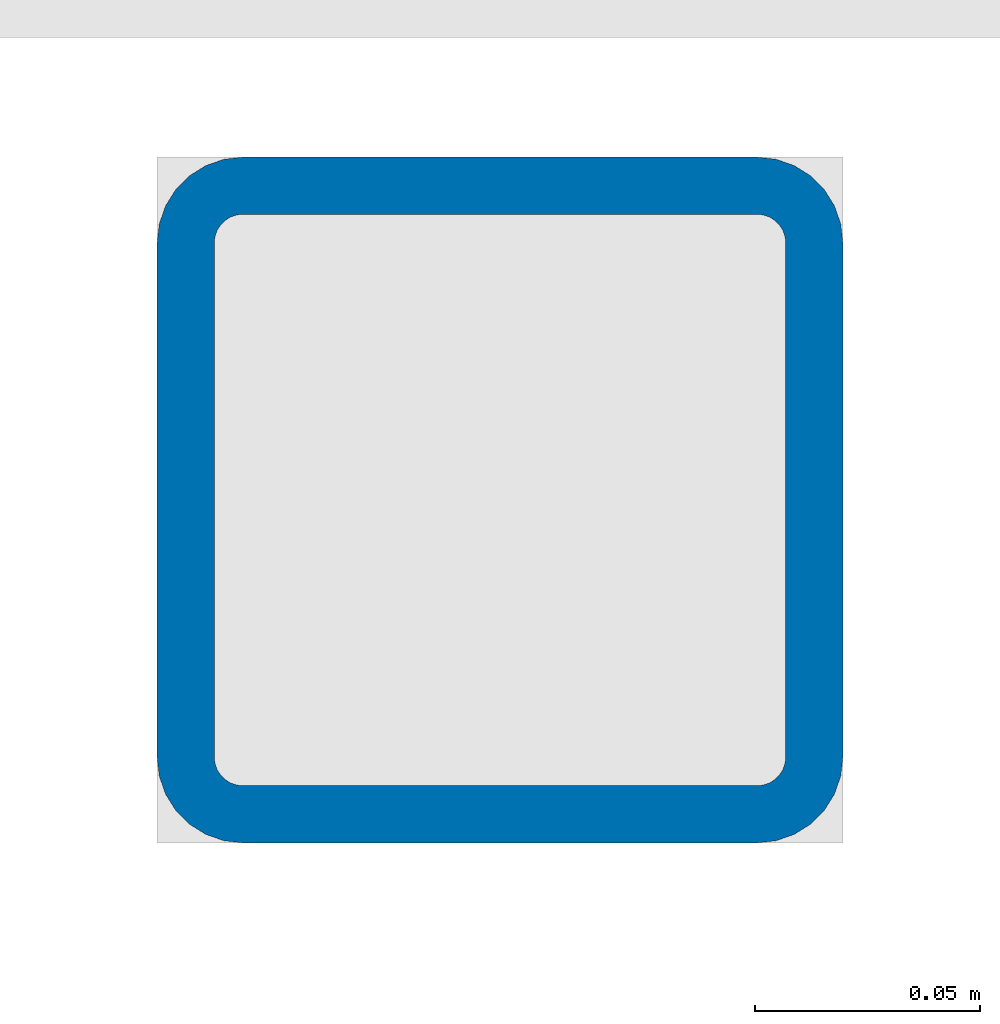
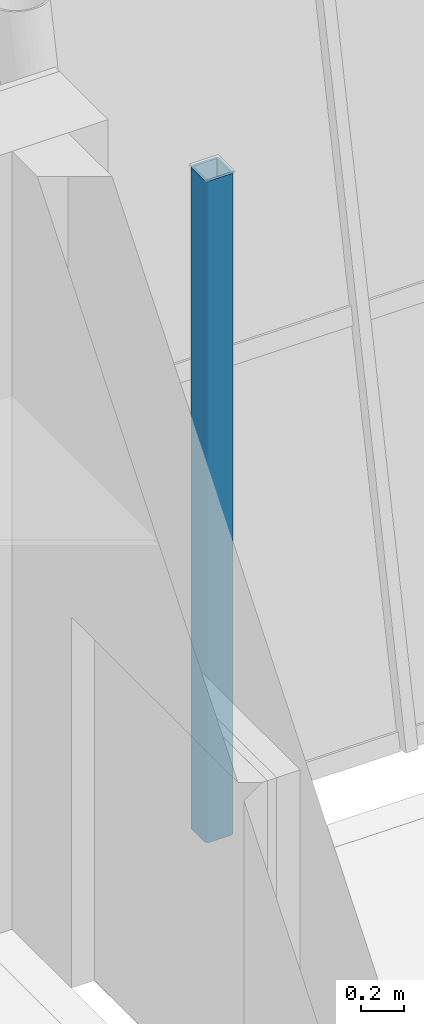
# One storey, part 12 of 115: 1 column.
"""IFC4 building model written with IfcOpenShell, lengths in metres."""

import ifcopenshell
import ifcopenshell.guid

model = None  # the IFC model being written
_history = None  # IfcOwnerHistory: only IFC2X3 demands one
_inside = {}  # id of a spatial element -> (the spatial element, [elements in it])
_under = {}  # id of a project, library or spatial element -> (it, [spatial elements below it])
_declared = {}  # id of a project -> (the project, [libraries it declares])
_typed = {}  # id of a type object -> (the type object, [elements of that type])
_made_of = {}  # id of a material, layer set ... -> (it, [elements and type objects made of it])


def new_model(schema):
    """Start an empty IFC model of exactly this schema.

    Asked for "IFC4X3", IfcOpenShell would pick the latest addendum, in which some entities
    have other attributes; the version numbers below select the first issue.
    IFC2X3 requires an IfcOwnerHistory on every rooted entity: one is made here for all.
    """
    global model, _history
    if schema == "IFC4X3":
        model = ifcopenshell.file(schema_version=(4, 3, 0, 0))
    else:
        model = ifcopenshell.file(schema=schema)
    _inside.clear()
    _under.clear()
    _declared.clear()
    _typed.clear()
    _made_of.clear()
    _history = None
    if model.schema == "IFC2X3":
        org = make("IfcOrganization", Name="unknown")
        user = make(
            "IfcPersonAndOrganization",
            ThePerson=make("IfcPerson", FamilyName="unknown"),
            TheOrganization=org,
        )
        app = make(
            "IfcApplication",
            ApplicationDeveloper=org,
            Version="unknown",
            ApplicationFullName="unknown",
            ApplicationIdentifier="unknown",
        )
        _history = make(
            "IfcOwnerHistory",
            OwningUser=user,
            OwningApplication=app,
            ChangeAction="ADDED",
            CreationDate=0,
        )
    return model


def make(cls, **values):
    """One entity of the class cls with the attributes given. An attribute that is None is left unset."""
    return model.create_entity(
        cls, **{name: value for name, value in values.items() if value is not None}
    )


def rooted(cls, **values):
    """An entity with a GlobalId (a new one), such as an element, a storey or a relation."""
    return make(cls, GlobalId=ifcopenshell.guid.new(), OwnerHistory=_history, **values)


def si_unit(unit_type, name, prefix=None):
    """IfcSIUnit, for example si_unit("LENGTHUNIT", "METRE", prefix="MILLI")."""
    return make("IfcSIUnit", UnitType=unit_type, Prefix=prefix, Name=name)


def assignment(units):
    """IfcUnitAssignment: the units of a project."""
    return None if units is None else make("IfcUnitAssignment", Units=units)


def point(xyz):
    """IfcCartesianPoint."""
    return None if xyz is None else make("IfcCartesianPoint", Coordinates=xyz)


def direction(xyz):
    """IfcDirection."""
    return None if xyz is None else make("IfcDirection", DirectionRatios=xyz)


def frame(location, z_axis=None, x_axis=None):
    """IfcAxis2Placement3D, a coordinate frame: its origin and axes. An axis left out is left unset."""
    return make(
        "IfcAxis2Placement3D",
        Location=point(location),
        Axis=direction(z_axis),
        RefDirection=direction(x_axis),
    )


def frame_2d(location, x_axis=None):
    """IfcAxis2Placement2D, a coordinate frame in the plane: its origin and x axis."""
    return make(
        "IfcAxis2Placement2D", Location=point(location), RefDirection=direction(x_axis)
    )


def origin():
    """The frame at (0, 0, 0) with its axes left unset."""
    return frame((0.0, 0.0, 0.0))


def origin_2d():
    """The frame at (0, 0) in the plane with its x axis left unset."""
    return frame_2d((0.0, 0.0))


def place(relative_to, where):
    """IfcLocalPlacement: puts the frame where relative to a parent placement (None: the world)."""
    return make(
        "IfcLocalPlacement", PlacementRelTo=relative_to, RelativePlacement=where
    )


def context(
    kind, dimensions, precision=None, world=None, true_north=None, identifier=None
):
    """IfcGeometricRepresentationContext, for example the 3D "Model" context."""
    return make(
        "IfcGeometricRepresentationContext",
        ContextIdentifier=identifier,
        ContextType=kind,
        CoordinateSpaceDimension=dimensions,
        Precision=precision,
        WorldCoordinateSystem=world,
        TrueNorth=true_north,
    )


def subcontext(parent, identifier, kind, view, scale=None):
    """IfcGeometricRepresentationSubContext, for example "Body" below "Model"."""
    return make(
        "IfcGeometricRepresentationSubContext",
        ContextIdentifier=identifier,
        ContextType=kind,
        ParentContext=parent,
        TargetScale=scale,
        TargetView=view,
    )


def project(units=None, contexts=None):
    """IfcProject with its units and contexts."""
    return rooted(
        "IfcProject",
        Name="project",
        RepresentationContexts=contexts,
        UnitsInContext=assignment(units),
    )


def spatial(cls, under=None, at=None, **own):
    """A site, building, storey or space (cls), placed at a placement, below another one or the project."""
    s = rooted(cls, ObjectPlacement=at, **own)
    if under is not None:
        _under.setdefault(under.id(), (under, []))[1].append(s)
    return s


def profile(cls, at=None, kind="AREA", **sizes):
    """A parametric profile (cls). Its sizes go by their IFC names, for example OverallWidth=200.0."""
    return make(cls, ProfileType=kind, Position=at, **sizes)


def hollow_rectangle(**sizes):
    """IfcRectangleHollowProfileDef."""
    return profile("IfcRectangleHollowProfileDef", **sizes)


def extrude(swept, where, along, depth):
    """IfcExtrudedAreaSolid: the profile swept, set in the frame where, extruded along a direction by depth."""
    return make(
        "IfcExtrudedAreaSolid",
        SweptArea=swept,
        Position=where,
        ExtrudedDirection=direction(along),
        Depth=depth,
    )


def shape(context_of_items, identifier, shape_type, items):
    """IfcShapeRepresentation: the items that make up one representation, for example the "Body"."""
    return make(
        "IfcShapeRepresentation",
        ContextOfItems=context_of_items,
        RepresentationIdentifier=identifier,
        RepresentationType=shape_type,
        Items=items,
    )


def material(Name=None, Category=None):
    """IfcMaterial."""
    return make("IfcMaterial", Name=Name, Category=Category)


def material_profile(
    of_material, cross_section, Name=None, Category=None, Priority=None
):
    """IfcMaterialProfile: a cross section and its material."""
    return make(
        "IfcMaterialProfile",
        Name=Name,
        Material=of_material,
        Profile=cross_section,
        Priority=Priority,
        Category=Category,
    )


def profile_set(profiles, Name=None, composite=None):
    """IfcMaterialProfileSet."""
    return make(
        "IfcMaterialProfileSet",
        Name=Name,
        MaterialProfiles=profiles,
        CompositeProfile=composite,
    )


def made_of(thing, what):
    """Note that an element or type object is made of a material, layer set ...; save() writes the relation."""
    if what is not None:
        _made_of.setdefault(what.id(), (what, []))[1].append(thing)
    return thing


def type_object(cls, material=None, **own):
    """A type object (cls), such as IfcWallType, which elements share."""
    return made_of(rooted(cls, **own), material)


def element(
    cls,
    number,
    at=None,
    inside=None,
    cuts=None,
    type_object=None,
    material=None,
    context=None,
    identifier="Body",
    shape_type=None,
    held_by="IfcProductDefinitionShape",
    body=None,
    shapes=None,
    **own,
):
    """One element of the class cls, such as IfcWall. Its Tag is "e" and its number.

    at: its placement. inside: the storey or other place that contains it. cuts: it is an
    opening in that element (IfcRelVoidsElement). A single representation is given by context,
    identifier, shape_type and body (its items); several are given by shapes. held_by: the class
    of the entity that holds the representations. save() writes the other relations.
    """
    e = rooted(cls, Tag="e%d" % number, ObjectPlacement=at, **own)
    if body is not None:
        shapes = [shape(context, identifier, shape_type, body)]
    if shapes is not None:
        e.Representation = make(held_by, Representations=shapes)
    if inside is not None:
        _inside.setdefault(inside.id(), (inside, []))[1].append(e)
    if cuts is not None:
        rooted(
            "IfcRelVoidsElement", RelatingBuildingElement=cuts, RelatedOpeningElement=e
        )
    if type_object is not None:
        _typed.setdefault(type_object.id(), (type_object, []))[1].append(e)
    return made_of(e, material)


def aggregate(whole, parts):
    """IfcRelAggregates: a whole, such as a stair, and the parts it consists of."""
    return rooted("IfcRelAggregates", RelatingObject=whole, RelatedObjects=parts)


def save(model, path):
    """Write the relations noted so far, then the file.

    IfcRelAggregates (storeys below a building ...), IfcRelContainedInSpatialStructure (elements
    in a storey), IfcRelDefinesByType, IfcRelAssociatesMaterial and IfcRelDeclares: one each for
    every whole, place, type object, material and project.
    """
    for whole, parts in _under.values():
        aggregate(whole, parts)
    for where, things in _inside.values():
        rooted(
            "IfcRelContainedInSpatialStructure",
            RelatedElements=things,
            RelatingStructure=where,
        )
    for kind, things in _typed.values():
        rooted("IfcRelDefinesByType", RelatedObjects=things, RelatingType=kind)
    for what, things in _made_of.values():
        rooted("IfcRelAssociatesMaterial", RelatedObjects=things, RelatingMaterial=what)
    for by, libraries in _declared.values():
        rooted("IfcRelDeclares", RelatingContext=by, RelatedDefinitions=libraries)
    model.write(path)


model = new_model("IFC4")

# Units and contexts
model_context = context("Model", 3, precision=1e-05, world=origin(), true_north=direction((0.0, 1.0)))
body_context = subcontext(model_context, "Body", "Model", "MODEL_VIEW")
ifc_project = project(units=[si_unit("LENGTHUNIT", "METRE"), si_unit("AREAUNIT", "SQUARE_METRE"), si_unit("VOLUMEUNIT", "CUBIC_METRE"), si_unit("PLANEANGLEUNIT", "RADIAN"), si_unit("MASSUNIT", "GRAM", prefix="KILO")], contexts=[model_context])

# Site, building, storey
site_placement = place(None, origin())
site = spatial("IfcSite", under=ifc_project, at=site_placement, CompositionType="ELEMENT")
building_placement = place(site_placement, origin())
building = spatial("IfcBuilding", under=site, at=building_placement, Name="Windward Yard Aquatics Centre", CompositionType="ELEMENT")
storey_placement = place(building_placement, frame((0.0, 0.0, 5.0)))
storey = spatial("IfcBuildingStorey", under=building, at=storey_placement, Name="L01", CompositionType="ELEMENT", Elevation=5.0)

# Column
ifc_material = material(Name="Steel ASTM A500 Gr C", Category="steel")
ifc_material_profile = material_profile(ifc_material, hollow_rectangle(XDim=0.15234375, YDim=0.15234375, WallThickness=0.0126953125, InnerFilletRadius=0.00634765625, OuterFilletRadius=0.01904296875, at=origin_2d()), Name="HSS152X152X12.7")
ifc_profile_set = profile_set([ifc_material_profile], Name="Steel ASTM A500 Gr C")
column_type = type_object("IfcColumnType", Name="H gallery column HSS152X152X12.7", PredefinedType="COLUMN", material=ifc_profile_set)
column_placement = place(storey_placement, frame((64.89990234375, 95.77490234375, 0.0), z_axis=(0.0, 0.0, 1.0), x_axis=(1.0, 0.0, 0.0)))
element("IfcColumn", 1, at=column_placement, inside=storey, type_object=column_type, Name="H.GC.N1.L01", PredefinedType="COLUMN", context=body_context, shape_type="SweptSolid", body=[
    extrude(hollow_rectangle(XDim=0.15234375, YDim=0.15234375, WallThickness=0.0126953125, InnerFilletRadius=0.00634765625, OuterFilletRadius=0.01904296875, at=origin_2d()), origin(), (0.0, 0.0, 1.0), 3.742919921875),
])

save(model, "model.ifc")
